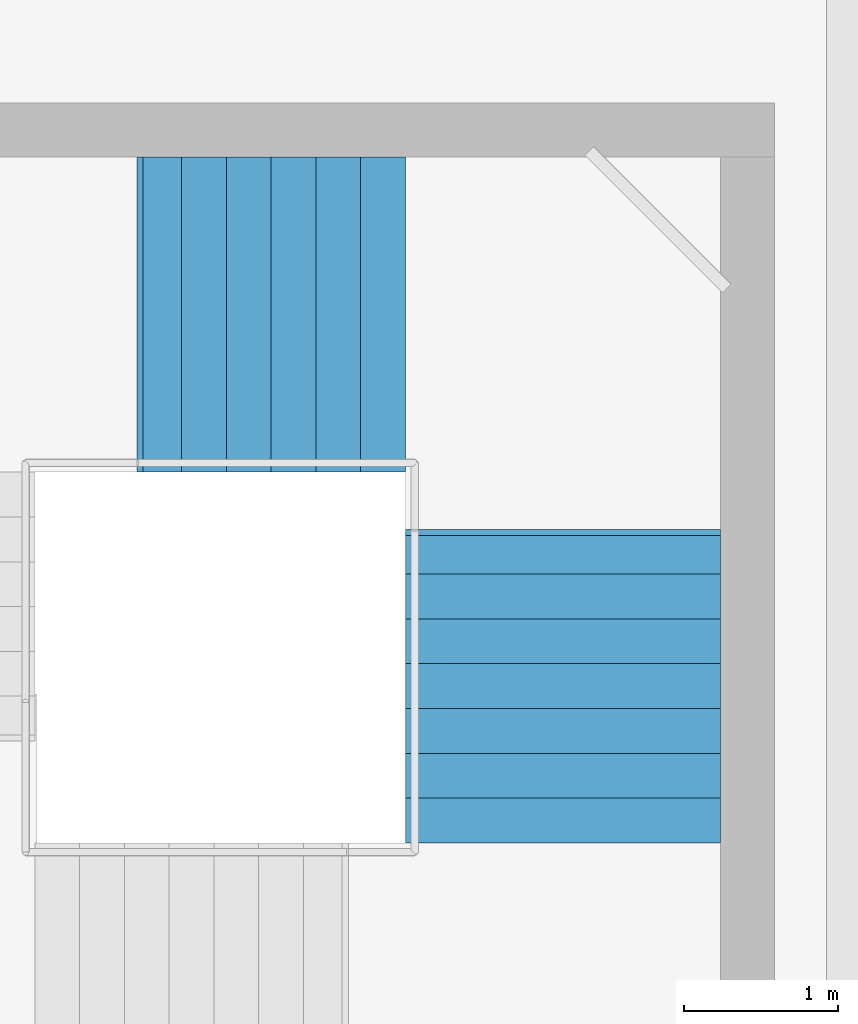
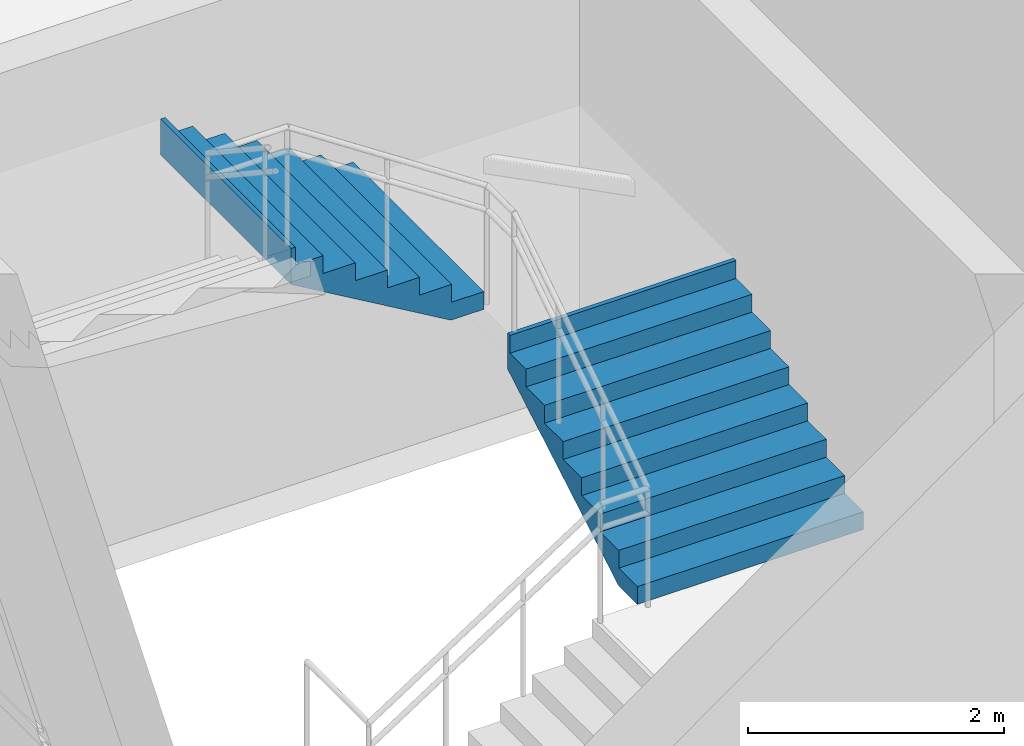
# One storey, part 63 of 67: 2 stair flights, 1 element without a shape of its own.
"""IFC4 building model written with IfcOpenShell, lengths in metres."""

from ifc_helpers import new_model, si_unit, direction, frame, origin, place, context, subcontext, project, spatial, triangles, material, type_object, element, aggregate, save


model = new_model("IFC4")

# Units and contexts
model_context = context("Model", 3, precision=1e-05, world=origin(), true_north=direction((0.0, 1.0)))
body_context = subcontext(model_context, "Body", "Model", "MODEL_VIEW")
ifc_project = project(units=[si_unit("LENGTHUNIT", "METRE"), si_unit("AREAUNIT", "SQUARE_METRE"), si_unit("VOLUMEUNIT", "CUBIC_METRE"), si_unit("PLANEANGLEUNIT", "RADIAN"), si_unit("MASSUNIT", "GRAM", prefix="KILO")], contexts=[model_context])

# Site, building, storey
site_placement = place(None, origin())
site = spatial("IfcSite", under=ifc_project, at=site_placement, CompositionType="ELEMENT")
building_placement = place(site_placement, origin())
building = spatial("IfcBuilding", under=site, at=building_placement, Name="Sillaruma Civic Art Gallery", CompositionType="ELEMENT")
storey_placement = place(building_placement, frame((0.0, 0.0, 46.919921875)))
storey = spatial("IfcBuildingStorey", under=building, at=storey_placement, Name="L09", CompositionType="ELEMENT", Elevation=46.919921875)

# Stair, stair flights
ifc_material = material(Name="Concrete H35 (35 MPa)", Category="concrete")
stair_type = type_object("IfcStairType", Name="STR-4F-30", PredefinedType="USERDEFINED", material=ifc_material)
stair_placement = place(storey_placement, origin())
stair = element("IfcStair", 1, at=stair_placement, inside=storey, type_object=stair_type, Name="Protected Exit Stair ST-04 (East Bar) (L09)", ObjectType="THREE_RETURN_STAIR", PredefinedType="USERDEFINED")
stair_flight_type_1 = type_object("IfcStairFlightType", Name="SFL-STR-7", PredefinedType="STRAIGHT", material=ifc_material)
stair_flight_1_placement = place(storey_placement, frame((103.300048828125, 56.669921875, 2.719970703125), z_axis=(0.0, 0.0, 1.0), x_axis=(-1.0, 0.0, 0.0)))
stair_flight_1 = element("IfcStairFlight", 2, at=stair_flight_1_placement, type_object=stair_flight_type_1, Name="ST-04 flight 3", NumberOfRisers=7, NumberOfTreads=6, PredefinedType="STRAIGHT", RiserHeight=0.17, TreadLength=0.29, context=body_context, shape_type="Tessellation", body=[
    triangles([(0.0, -1.02001953125, 0.0), (0.29, -1.02001953125, 0.0), (0.296404, -1.02001953125, 0.0), (0.58, -1.02001953125, 0.166246), (0.87, -1.02001953125, 0.336246), (1.16, -1.02001953125, 0.506246), (1.45, -1.02001953125, 0.676246), (1.69999, -1.02001953125, 0.822792), (1.73999, -1.02001953125, 0.84624), (1.73999, -1.02001953125, 1.19), (1.69999, -1.02001953125, 1.19), (1.69999, -1.02001953125, 1.02), (1.45, -1.02001953125, 1.02), (1.45, -1.02001953125, 0.85), (1.16, -1.02001953125, 0.85), (1.16, -1.02001953125, 0.68), (0.87, -1.02001953125, 0.68), (0.87, -1.02001953125, 0.51), (0.58, -1.02001953125, 0.51), (0.58, -1.02001953125, 0.34), (0.296404, -1.02001953125, 0.34), (0.29, -1.02001953125, 0.34), (0.29, -1.02001953125, 0.17), (0.0, -1.02001953125, 0.17), (0.0, -0.05, 0.0), (0.29, -0.05, 0.0), (0.296404, -0.05, 0.0), (0.58, -0.05, 0.166246), (0.87, -0.05, 0.336246), (1.16, -0.05, 0.506246), (1.45, -0.05, 0.676246), (1.69999, -0.05, 0.822792), (1.73999, -0.05, 0.84624), (1.73999, -0.05, 1.19), (1.69999, -0.05, 1.19), (1.69999, -0.05, 1.02), (1.45, -0.05, 1.02), (1.45, -0.05, 0.85), (1.16, -0.05, 0.85), (1.16, -0.05, 0.68), (0.87, -0.05, 0.68), (0.87, -0.05, 0.51), (0.58, -0.05, 0.51), (0.58, -0.05, 0.34), (0.296404, -0.05, 0.34), (0.29, -0.05, 0.34), (0.29, -0.05, 0.17), (0.0, -0.05, 0.17), (0.0, -0.0375, 0.0), (0.29, -0.0375, 0.0), (0.296404, -0.0375, 0.0), (0.58, -0.0375, 0.166246), (0.87, -0.0375, 0.336246), (1.16, -0.0375, 0.506246), (1.45, -0.0375, 0.676246), (1.69999, -0.0375, 0.822792), (1.73999, -0.0375, 0.84624), (1.73999, -0.0375, 1.19), (1.69999, -0.0375, 1.19), (1.69999, -0.0375, 1.02), (1.45, -0.0375, 1.02), (1.45, -0.0375, 0.85), (1.16, -0.0375, 0.85), (1.16, -0.0375, 0.68), (0.87, -0.0375, 0.68), (0.87, -0.0375, 0.51), (0.58, -0.0375, 0.51), (0.58, -0.0375, 0.34), (0.296404, -0.0375, 0.34), (0.29, -0.0375, 0.34), (0.29, -0.0375, 0.17), (0.0, -0.0375, 0.17), (0.0, -0.025, 0.0), (0.29, -0.025, 0.0), (0.296404, -0.025, 0.0), (0.58, -0.025, 0.166246), (0.87, -0.025, 0.336246), (1.16, -0.025, 0.506246), (1.45, -0.025, 0.676246), (1.69999, -0.025, 0.822792), (1.73999, -0.025, 0.84624), (1.73999, -0.025, 1.19), (1.69999, -0.025, 1.19), (1.69999, -0.025, 1.02), (1.45, -0.025, 1.02), (1.45, -0.025, 0.85), (1.16, -0.025, 0.85), (1.16, -0.025, 0.68), (0.87, -0.025, 0.68), (0.87, -0.025, 0.51), (0.58, -0.025, 0.51), (0.58, -0.025, 0.34), (0.296404, -0.025, 0.34), (0.29, -0.025, 0.34), (0.29, -0.025, 0.17), (0.0, -0.025, 0.17), (0.0, -0.0125, 0.0), (0.29, -0.0125, 0.0), (0.296404, -0.0125, 0.0), (0.58, -0.0125, 0.166246), (0.87, -0.0125, 0.336246), (1.16, -0.0125, 0.506246), (1.45, -0.0125, 0.676246), (1.69999, -0.0125, 0.822792), (1.73999, -0.0125, 0.84624), (1.73999, -0.0125, 1.19), (1.69999, -0.0125, 1.19), (1.69999, -0.0125, 1.02), (1.45, -0.0125, 1.02), (1.45, -0.0125, 0.85), (1.16, -0.0125, 0.85), (1.16, -0.0125, 0.68), (0.87, -0.0125, 0.68), (0.87, -0.0125, 0.51), (0.58, -0.0125, 0.51), (0.58, -0.0125, 0.34), (0.296404, -0.0125, 0.34), (0.29, -0.0125, 0.34), (0.29, -0.0125, 0.17), (0.0, -0.0125, 0.17), (0.0, 0.0, 0.0), (0.29, 0.0, 0.0), (0.296404, 0.0, 0.0), (0.58, 0.0, 0.166246), (0.87, 0.0, 0.336246), (1.16, 0.0, 0.506246), (1.45, 0.0, 0.676246), (1.69999, 0.0, 0.822792), (1.73999, 0.0, 0.84624), (1.73999, 0.0, 1.19), (1.69999, 0.0, 1.19), (1.69999, 0.0, 1.02), (1.45, 0.0, 1.02), (1.45, 0.0, 0.85), (1.16, 0.0, 0.85), (1.16, 0.0, 0.68), (0.87, 0.0, 0.68), (0.87, 0.0, 0.51), (0.58, 0.0, 0.51), (0.58, 0.0, 0.34), (0.296404, 0.0, 0.34), (0.29, 0.0, 0.34), (0.29, 0.0, 0.17), (0.0, 0.0, 0.17), (0.0, 0.0125, 0.0), (0.29, 0.0125, 0.0), (0.296404, 0.0125, 0.0), (0.58, 0.0125, 0.166246), (0.87, 0.0125, 0.336246), (1.16, 0.0125, 0.506246), (1.45, 0.0125, 0.676246), (1.69999, 0.0125, 0.822792), (1.73999, 0.0125, 0.84624), (1.73999, 0.0125, 1.19), (1.69999, 0.0125, 1.19), (1.69999, 0.0125, 1.02), (1.45, 0.0125, 1.02), (1.45, 0.0125, 0.85), (1.16, 0.0125, 0.85), (1.16, 0.0125, 0.68), (0.87, 0.0125, 0.68), (0.87, 0.0125, 0.51), (0.58, 0.0125, 0.51), (0.58, 0.0125, 0.34), (0.296404, 0.0125, 0.34), (0.29, 0.0125, 0.34), (0.29, 0.0125, 0.17), (0.0, 0.0125, 0.17), (0.0, 0.025, 0.0), (0.29, 0.025, 0.0), (0.296404, 0.025, 0.0), (0.58, 0.025, 0.166246), (0.87, 0.025, 0.336246), (1.16, 0.025, 0.506246), (1.45, 0.025, 0.676246), (1.69999, 0.025, 0.822792), (1.73999, 0.025, 0.84624), (1.73999, 0.025, 1.19), (1.69999, 0.025, 1.19), (1.69999, 0.025, 1.02), (1.45, 0.025, 1.02), (1.45, 0.025, 0.85), (1.16, 0.025, 0.85), (1.16, 0.025, 0.68), (0.87, 0.025, 0.68), (0.87, 0.025, 0.51), (0.58, 0.025, 0.51), (0.58, 0.025, 0.34), (0.296404, 0.025, 0.34), (0.29, 0.025, 0.34), (0.29, 0.025, 0.17), (0.0, 0.025, 0.17), (0.0, 0.0375, 0.0), (0.29, 0.0375, 0.0), (0.296404, 0.0375, 0.0), (0.58, 0.0375, 0.166246), (0.87, 0.0375, 0.336246), (1.16, 0.0375, 0.506246), (1.45, 0.0375, 0.676246), (1.69999, 0.0375, 0.822792), (1.73999, 0.0375, 0.84624), (1.73999, 0.0375, 1.19), (1.69999, 0.0375, 1.19), (1.69999, 0.0375, 1.02), (1.45, 0.0375, 1.02), (1.45, 0.0375, 0.85), (1.16, 0.0375, 0.85), (1.16, 0.0375, 0.68), (0.87, 0.0375, 0.68), (0.87, 0.0375, 0.51), (0.58, 0.0375, 0.51), (0.58, 0.0375, 0.34), (0.296404, 0.0375, 0.34), (0.29, 0.0375, 0.34), (0.29, 0.0375, 0.17), (0.0, 0.0375, 0.17), (0.0, 0.05, 0.0), (0.29, 0.05, 0.0), (0.296404, 0.05, 0.0), (0.58, 0.05, 0.166246), (0.87, 0.05, 0.336246), (1.16, 0.05, 0.506246), (1.45, 0.05, 0.676246), (1.69999, 0.05, 0.822792), (1.73999, 0.05, 0.84624), (1.73999, 0.05, 1.19), (1.69999, 0.05, 1.19), (1.69999, 0.05, 1.02), (1.45, 0.05, 1.02), (1.45, 0.05, 0.85), (1.16, 0.05, 0.85), (1.16, 0.05, 0.68), (0.87, 0.05, 0.68), (0.87, 0.05, 0.51), (0.58, 0.05, 0.51), (0.58, 0.05, 0.34), (0.296404, 0.05, 0.34), (0.29, 0.05, 0.34), (0.29, 0.05, 0.17), (0.0, 0.05, 0.17), (0.0, 1.02001953125, 0.0), (0.29, 1.02001953125, 0.0), (0.296404, 1.02001953125, 0.0), (0.58, 1.02001953125, 0.166246), (0.87, 1.02001953125, 0.336246), (1.16, 1.02001953125, 0.506246), (1.45, 1.02001953125, 0.676246), (1.69999, 1.02001953125, 0.822792), (1.73999, 1.02001953125, 0.84624), (1.73999, 1.02001953125, 1.19), (1.69999, 1.02001953125, 1.19), (1.69999, 1.02001953125, 1.02), (1.45, 1.02001953125, 1.02), (1.45, 1.02001953125, 0.85), (1.16, 1.02001953125, 0.85), (1.16, 1.02001953125, 0.68), (0.87, 1.02001953125, 0.68), (0.87, 1.02001953125, 0.51), (0.58, 1.02001953125, 0.51), (0.58, 1.02001953125, 0.34), (0.296404, 1.02001953125, 0.34), (0.29, 1.02001953125, 0.34), (0.29, 1.02001953125, 0.17), (0.0, 1.02001953125, 0.17)], [[1, 2, 23], [1, 23, 24], [2, 3, 21], [2, 21, 23], [23, 21, 22], [3, 4, 20], [3, 20, 21], [4, 5, 18], [4, 18, 20], [20, 18, 19], [5, 6, 16], [5, 16, 18], [18, 16, 17], [6, 7, 14], [6, 14, 16], [16, 14, 15], [7, 8, 12], [7, 12, 14], [14, 12, 13], [8, 9, 10], [8, 10, 12], [12, 10, 11], [263, 242, 241], [264, 263, 241], [261, 243, 242], [263, 261, 242], [262, 261, 263], [260, 244, 243], [261, 260, 243], [258, 245, 244], [260, 258, 244], [259, 258, 260], [256, 246, 245], [258, 256, 245], [257, 256, 258], [254, 247, 246], [256, 254, 246], [255, 254, 256], [252, 248, 247], [254, 252, 247], [253, 252, 254], [250, 249, 248], [252, 250, 248], [251, 250, 252], [2, 1, 25], [2, 25, 26], [3, 2, 26], [3, 26, 27], [4, 3, 27], [4, 27, 28], [5, 4, 28], [5, 28, 29], [6, 5, 29], [6, 29, 30], [7, 6, 30], [7, 30, 31], [8, 7, 31], [8, 31, 32], [9, 8, 32], [9, 32, 33], [10, 9, 33], [10, 33, 34], [11, 10, 34], [11, 34, 35], [12, 11, 35], [12, 35, 36], [13, 12, 36], [13, 36, 37], [14, 13, 37], [14, 37, 38], [15, 14, 38], [15, 38, 39], [16, 15, 39], [16, 39, 40], [17, 16, 40], [17, 40, 41], [18, 17, 41], [18, 41, 42], [19, 18, 42], [19, 42, 43], [20, 19, 43], [20, 43, 44], [21, 20, 44], [21, 44, 45], [22, 21, 45], [22, 45, 46], [23, 22, 46], [23, 46, 47], [24, 23, 47], [24, 47, 48], [1, 24, 48], [1, 48, 25], [26, 25, 49], [26, 49, 50], [27, 26, 50], [27, 50, 51], [28, 27, 51], [28, 51, 52], [29, 28, 52], [29, 52, 53], [30, 29, 53], [30, 53, 54], [31, 30, 54], [31, 54, 55], [32, 31, 55], [32, 55, 56], [33, 32, 56], [33, 56, 57], [34, 33, 57], [34, 57, 58], [35, 34, 58], [35, 58, 59], [36, 35, 59], [36, 59, 60], [37, 36, 60], [37, 60, 61], [38, 37, 61], [38, 61, 62], [39, 38, 62], [39, 62, 63], [40, 39, 63], [40, 63, 64], [41, 40, 64], [41, 64, 65], [42, 41, 65], [42, 65, 66], [43, 42, 66], [43, 66, 67], [44, 43, 67], [44, 67, 68], [45, 44, 68], [45, 68, 69], [46, 45, 69], [46, 69, 70], [47, 46, 70], [47, 70, 71], [48, 47, 71], [48, 71, 72], [25, 48, 72], [25, 72, 49], [50, 49, 73], [50, 73, 74], [51, 50, 74], [51, 74, 75], [52, 51, 75], [52, 75, 76], [53, 52, 76], [53, 76, 77], [54, 53, 77], [54, 77, 78], [55, 54, 78], [55, 78, 79], [56, 55, 79], [56, 79, 80], [57, 56, 80], [57, 80, 81], [58, 57, 81], [58, 81, 82], [59, 58, 82], [59, 82, 83], [60, 59, 83], [60, 83, 84], [61, 60, 84], [61, 84, 85], [62, 61, 85], [62, 85, 86], [63, 62, 86], [63, 86, 87], [64, 63, 87], [64, 87, 88], [65, 64, 88], [65, 88, 89], [66, 65, 89], [66, 89, 90], [67, 66, 90], [67, 90, 91], [68, 67, 91], [68, 91, 92], [69, 68, 92], [69, 92, 93], [70, 69, 93], [70, 93, 94], [71, 70, 94], [71, 94, 95], [72, 71, 95], [72, 95, 96], [49, 72, 96], [49, 96, 73], [74, 73, 97], [74, 97, 98], [75, 74, 98], [75, 98, 99], [76, 75, 99], [76, 99, 100], [77, 76, 100], [77, 100, 101], [78, 77, 101], [78, 101, 102], [79, 78, 102], [79, 102, 103], [80, 79, 103], [80, 103, 104], [81, 80, 104], [81, 104, 105], [82, 81, 105], [82, 105, 106], [83, 82, 106], [83, 106, 107], [84, 83, 107], [84, 107, 108], [85, 84, 108], [85, 108, 109], [86, 85, 109], [86, 109, 110], [87, 86, 110], [87, 110, 111], [88, 87, 111], [88, 111, 112], [89, 88, 112], [89, 112, 113], [90, 89, 113], [90, 113, 114], [91, 90, 114], [91, 114, 115], [92, 91, 115], [92, 115, 116], [93, 92, 116], [93, 116, 117], [94, 93, 117], [94, 117, 118], [95, 94, 118], [95, 118, 119], [96, 95, 119], [96, 119, 120], [73, 96, 120], [73, 120, 97], [98, 97, 121], [98, 121, 122], [99, 98, 122], [99, 122, 123], [100, 99, 123], [100, 123, 124], [101, 100, 124], [101, 124, 125], [102, 101, 125], [102, 125, 126], [103, 102, 126], [103, 126, 127], [104, 103, 127], [104, 127, 128], [105, 104, 128], [105, 128, 129], [106, 105, 129], [106, 129, 130], [107, 106, 130], [107, 130, 131], [108, 107, 131], [108, 131, 132], [109, 108, 132], [109, 132, 133], [110, 109, 133], [110, 133, 134], [111, 110, 134], [111, 134, 135], [112, 111, 135], [112, 135, 136], [113, 112, 136], [113, 136, 137], [114, 113, 137], [114, 137, 138], [115, 114, 138], [115, 138, 139], [116, 115, 139], [116, 139, 140], [117, 116, 140], [117, 140, 141], [118, 117, 141], [118, 141, 142], [119, 118, 142], [119, 142, 143], [120, 119, 143], [120, 143, 144], [97, 120, 144], [97, 144, 121], [122, 121, 145], [122, 145, 146], [123, 122, 146], [123, 146, 147], [124, 123, 147], [124, 147, 148], [125, 124, 148], [125, 148, 149], [126, 125, 149], [126, 149, 150], [127, 126, 150], [127, 150, 151], [128, 127, 151], [128, 151, 152], [129, 128, 152], [129, 152, 153], [130, 129, 153], [130, 153, 154], [131, 130, 154], [131, 154, 155], [132, 131, 155], [132, 155, 156], [133, 132, 156], [133, 156, 157], [134, 133, 157], [134, 157, 158], [135, 134, 158], [135, 158, 159], [136, 135, 159], [136, 159, 160], [137, 136, 160], [137, 160, 161], [138, 137, 161], [138, 161, 162], [139, 138, 162], [139, 162, 163], [140, 139, 163], [140, 163, 164], [141, 140, 164], [141, 164, 165], [142, 141, 165], [142, 165, 166], [143, 142, 166], [143, 166, 167], [144, 143, 167], [144, 167, 168], [121, 144, 168], [121, 168, 145], [146, 145, 169], [146, 169, 170], [147, 146, 170], [147, 170, 171], [148, 147, 171], [148, 171, 172], [149, 148, 172], [149, 172, 173], [150, 149, 173], [150, 173, 174], [151, 150, 174], [151, 174, 175], [152, 151, 175], [152, 175, 176], [153, 152, 176], [153, 176, 177], [154, 153, 177], [154, 177, 178], [155, 154, 178], [155, 178, 179], [156, 155, 179], [156, 179, 180], [157, 156, 180], [157, 180, 181], [158, 157, 181], [158, 181, 182], [159, 158, 182], [159, 182, 183], [160, 159, 183], [160, 183, 184], [161, 160, 184], [161, 184, 185], [162, 161, 185], [162, 185, 186], [163, 162, 186], [163, 186, 187], [164, 163, 187], [164, 187, 188], [165, 164, 188], [165, 188, 189], [166, 165, 189], [166, 189, 190], [167, 166, 190], [167, 190, 191], [168, 167, 191], [168, 191, 192], [145, 168, 192], [145, 192, 169], [170, 169, 193], [170, 193, 194], [171, 170, 194], [171, 194, 195], [172, 171, 195], [172, 195, 196], [173, 172, 196], [173, 196, 197], [174, 173, 197], [174, 197, 198], [175, 174, 198], [175, 198, 199], [176, 175, 199], [176, 199, 200], [177, 176, 200], [177, 200, 201], [178, 177, 201], [178, 201, 202], [179, 178, 202], [179, 202, 203], [180, 179, 203], [180, 203, 204], [181, 180, 204], [181, 204, 205], [182, 181, 205], [182, 205, 206], [183, 182, 206], [183, 206, 207], [184, 183, 207], [184, 207, 208], [185, 184, 208], [185, 208, 209], [186, 185, 209], [186, 209, 210], [187, 186, 210], [187, 210, 211], [188, 187, 211], [188, 211, 212], [189, 188, 212], [189, 212, 213], [190, 189, 213], [190, 213, 214], [191, 190, 214], [191, 214, 215], [192, 191, 215], [192, 215, 216], [169, 192, 216], [169, 216, 193], [194, 193, 217], [194, 217, 218], [195, 194, 218], [195, 218, 219], [196, 195, 219], [196, 219, 220], [197, 196, 220], [197, 220, 221], [198, 197, 221], [198, 221, 222], [199, 198, 222], [199, 222, 223], [200, 199, 223], [200, 223, 224], [201, 200, 224], [201, 224, 225], [202, 201, 225], [202, 225, 226], [203, 202, 226], [203, 226, 227], [204, 203, 227], [204, 227, 228], [205, 204, 228], [205, 228, 229], [206, 205, 229], [206, 229, 230], [207, 206, 230], [207, 230, 231], [208, 207, 231], [208, 231, 232], [209, 208, 232], [209, 232, 233], [210, 209, 233], [210, 233, 234], [211, 210, 234], [211, 234, 235], [212, 211, 235], [212, 235, 236], [213, 212, 236], [213, 236, 237], [214, 213, 237], [214, 237, 238], [215, 214, 238], [215, 238, 239], [216, 215, 239], [216, 239, 240], [193, 216, 240], [193, 240, 217], [218, 217, 241], [218, 241, 242], [219, 218, 242], [219, 242, 243], [220, 219, 243], [220, 243, 244], [221, 220, 244], [221, 244, 245], [222, 221, 245], [222, 245, 246], [223, 222, 246], [223, 246, 247], [224, 223, 247], [224, 247, 248], [225, 224, 248], [225, 248, 249], [226, 225, 249], [226, 249, 250], [227, 226, 250], [227, 250, 251], [228, 227, 251], [228, 251, 252], [229, 228, 252], [229, 252, 253], [230, 229, 253], [230, 253, 254], [231, 230, 254], [231, 254, 255], [232, 231, 255], [232, 255, 256], [233, 232, 256], [233, 256, 257], [234, 233, 257], [234, 257, 258], [235, 234, 258], [235, 258, 259], [236, 235, 259], [236, 259, 260], [237, 236, 260], [237, 260, 261], [238, 237, 261], [238, 261, 262], [239, 238, 262], [239, 262, 263], [240, 239, 263], [240, 263, 264], [217, 240, 264], [217, 264, 241]], closed=True),
])
stair_flight_type_2 = type_object("IfcStairFlightType", Name="SFL-STR-8", PredefinedType="STRAIGHT", material=ifc_material)
stair_flight_2_placement = place(storey_placement, frame((104.320068359375, 53.25, 1.360107421875), z_axis=(0.0, 0.0, 1.0), x_axis=(0.0, 1.0, 0.0)))
stair_flight_2 = element("IfcStairFlight", 3, at=stair_flight_2_placement, type_object=stair_flight_type_2, Name="ST-04 flight 2", NumberOfRisers=8, NumberOfTreads=7, PredefinedType="STRAIGHT", RiserHeight=0.17, TreadLength=0.29, context=body_context, shape_type="Tessellation", body=[
    triangles([(0.0, -1.02001953125, 0.0), (0.29, -1.02001953125, 0.0), (0.296443, -1.02001953125, 0.0), (0.58, -1.02001953125, 0.166223), (0.87, -1.02001953125, 0.336223), (1.16, -1.02001953125, 0.506223), (1.45, -1.02001953125, 0.676223), (1.74, -1.02001953125, 0.846223), (1.990029, -1.02001953125, 0.992792), (2.030029, -1.02001953125, 1.01624), (2.030029, -1.02001953125, 1.36), (1.990029, -1.02001953125, 1.36), (1.990029, -1.02001953125, 1.19), (1.74, -1.02001953125, 1.19), (1.74, -1.02001953125, 1.02), (1.45, -1.02001953125, 1.02), (1.45, -1.02001953125, 0.85), (1.16, -1.02001953125, 0.85), (1.16, -1.02001953125, 0.68), (0.87, -1.02001953125, 0.68), (0.87, -1.02001953125, 0.51), (0.58, -1.02001953125, 0.51), (0.58, -1.02001953125, 0.34), (0.296443, -1.02001953125, 0.34), (0.29, -1.02001953125, 0.34), (0.29, -1.02001953125, 0.17), (0.0, -1.02001953125, 0.17), (0.0, -0.05, 0.0), (0.29, -0.05, 0.0), (0.296443, -0.05, 0.0), (0.58, -0.05, 0.166223), (0.87, -0.05, 0.336223), (1.16, -0.05, 0.506223), (1.45, -0.05, 0.676223), (1.74, -0.05, 0.846223), (1.990029, -0.05, 0.992792), (2.030029, -0.05, 1.01624), (2.030029, -0.05, 1.36), (1.990029, -0.05, 1.36), (1.990029, -0.05, 1.19), (1.74, -0.05, 1.19), (1.74, -0.05, 1.02), (1.45, -0.05, 1.02), (1.45, -0.05, 0.85), (1.16, -0.05, 0.85), (1.16, -0.05, 0.68), (0.87, -0.05, 0.68), (0.87, -0.05, 0.51), (0.58, -0.05, 0.51), (0.58, -0.05, 0.34), (0.296443, -0.05, 0.34), (0.29, -0.05, 0.34), (0.29, -0.05, 0.17), (0.0, -0.05, 0.17), (0.0, -0.0375, 0.0), (0.29, -0.0375, 0.0), (0.296443, -0.0375, 0.0), (0.58, -0.0375, 0.166223), (0.87, -0.0375, 0.336223), (1.16, -0.0375, 0.506223), (1.45, -0.0375, 0.676223), (1.74, -0.0375, 0.846223), (1.990029, -0.0375, 0.992792), (2.030029, -0.0375, 1.01624), (2.030029, -0.0375, 1.36), (1.990029, -0.0375, 1.36), (1.990029, -0.0375, 1.19), (1.74, -0.0375, 1.19), (1.74, -0.0375, 1.02), (1.45, -0.0375, 1.02), (1.45, -0.0375, 0.85), (1.16, -0.0375, 0.85), (1.16, -0.0375, 0.68), (0.87, -0.0375, 0.68), (0.87, -0.0375, 0.51), (0.58, -0.0375, 0.51), (0.58, -0.0375, 0.34), (0.296443, -0.0375, 0.34), (0.29, -0.0375, 0.34), (0.29, -0.0375, 0.17), (0.0, -0.0375, 0.17), (0.0, -0.025, 0.0), (0.29, -0.025, 0.0), (0.296443, -0.025, 0.0), (0.58, -0.025, 0.166223), (0.87, -0.025, 0.336223), (1.16, -0.025, 0.506223), (1.45, -0.025, 0.676223), (1.74, -0.025, 0.846223), (1.990029, -0.025, 0.992792), (2.030029, -0.025, 1.01624), (2.030029, -0.025, 1.36), (1.990029, -0.025, 1.36), (1.990029, -0.025, 1.19), (1.74, -0.025, 1.19), (1.74, -0.025, 1.02), (1.45, -0.025, 1.02), (1.45, -0.025, 0.85), (1.16, -0.025, 0.85), (1.16, -0.025, 0.68), (0.87, -0.025, 0.68), (0.87, -0.025, 0.51), (0.58, -0.025, 0.51), (0.58, -0.025, 0.34), (0.296443, -0.025, 0.34), (0.29, -0.025, 0.34), (0.29, -0.025, 0.17), (0.0, -0.025, 0.17), (0.0, -0.0125, 0.0), (0.29, -0.0125, 0.0), (0.296443, -0.0125, 0.0), (0.58, -0.0125, 0.166223), (0.87, -0.0125, 0.336223), (1.16, -0.0125, 0.506223), (1.45, -0.0125, 0.676223), (1.74, -0.0125, 0.846223), (1.990029, -0.0125, 0.992792), (2.030029, -0.0125, 1.01624), (2.030029, -0.0125, 1.36), (1.990029, -0.0125, 1.36), (1.990029, -0.0125, 1.19), (1.74, -0.0125, 1.19), (1.74, -0.0125, 1.02), (1.45, -0.0125, 1.02), (1.45, -0.0125, 0.85), (1.16, -0.0125, 0.85), (1.16, -0.0125, 0.68), (0.87, -0.0125, 0.68), (0.87, -0.0125, 0.51), (0.58, -0.0125, 0.51), (0.58, -0.0125, 0.34), (0.296443, -0.0125, 0.34), (0.29, -0.0125, 0.34), (0.29, -0.0125, 0.17), (0.0, -0.0125, 0.17), (0.0, 0.0, 0.0), (0.29, 0.0, 0.0), (0.296443, 0.0, 0.0), (0.58, 0.0, 0.166223), (0.87, 0.0, 0.336223), (1.16, 0.0, 0.506223), (1.45, 0.0, 0.676223), (1.74, 0.0, 0.846223), (1.990029, 0.0, 0.992792), (2.030029, 0.0, 1.01624), (2.030029, 0.0, 1.36), (1.990029, 0.0, 1.36), (1.990029, 0.0, 1.19), (1.74, 0.0, 1.19), (1.74, 0.0, 1.02), (1.45, 0.0, 1.02), (1.45, 0.0, 0.85), (1.16, 0.0, 0.85), (1.16, 0.0, 0.68), (0.87, 0.0, 0.68), (0.87, 0.0, 0.51), (0.58, 0.0, 0.51), (0.58, 0.0, 0.34), (0.296443, 0.0, 0.34), (0.29, 0.0, 0.34), (0.29, 0.0, 0.17), (0.0, 0.0, 0.17), (0.0, 0.0125, 0.0), (0.29, 0.0125, 0.0), (0.296443, 0.0125, 0.0), (0.58, 0.0125, 0.166223), (0.87, 0.0125, 0.336223), (1.16, 0.0125, 0.506223), (1.45, 0.0125, 0.676223), (1.74, 0.0125, 0.846223), (1.990029, 0.0125, 0.992792), (2.030029, 0.0125, 1.01624), (2.030029, 0.0125, 1.36), (1.990029, 0.0125, 1.36), (1.990029, 0.0125, 1.19), (1.74, 0.0125, 1.19), (1.74, 0.0125, 1.02), (1.45, 0.0125, 1.02), (1.45, 0.0125, 0.85), (1.16, 0.0125, 0.85), (1.16, 0.0125, 0.68), (0.87, 0.0125, 0.68), (0.87, 0.0125, 0.51), (0.58, 0.0125, 0.51), (0.58, 0.0125, 0.34), (0.296443, 0.0125, 0.34), (0.29, 0.0125, 0.34), (0.29, 0.0125, 0.17), (0.0, 0.0125, 0.17), (0.0, 0.025, 0.0), (0.29, 0.025, 0.0), (0.296443, 0.025, 0.0), (0.58, 0.025, 0.166223), (0.87, 0.025, 0.336223), (1.16, 0.025, 0.506223), (1.45, 0.025, 0.676223), (1.74, 0.025, 0.846223), (1.990029, 0.025, 0.992792), (2.030029, 0.025, 1.01624), (2.030029, 0.025, 1.36), (1.990029, 0.025, 1.36), (1.990029, 0.025, 1.19), (1.74, 0.025, 1.19), (1.74, 0.025, 1.02), (1.45, 0.025, 1.02), (1.45, 0.025, 0.85), (1.16, 0.025, 0.85), (1.16, 0.025, 0.68), (0.87, 0.025, 0.68), (0.87, 0.025, 0.51), (0.58, 0.025, 0.51), (0.58, 0.025, 0.34), (0.296443, 0.025, 0.34), (0.29, 0.025, 0.34), (0.29, 0.025, 0.17), (0.0, 0.025, 0.17), (0.0, 0.0375, 0.0), (0.29, 0.0375, 0.0), (0.296443, 0.0375, 0.0), (0.58, 0.0375, 0.166223), (0.87, 0.0375, 0.336223), (1.16, 0.0375, 0.506223), (1.45, 0.0375, 0.676223), (1.74, 0.0375, 0.846223), (1.990029, 0.0375, 0.992792), (2.030029, 0.0375, 1.01624), (2.030029, 0.0375, 1.36), (1.990029, 0.0375, 1.36), (1.990029, 0.0375, 1.19), (1.74, 0.0375, 1.19), (1.74, 0.0375, 1.02), (1.45, 0.0375, 1.02), (1.45, 0.0375, 0.85), (1.16, 0.0375, 0.85), (1.16, 0.0375, 0.68), (0.87, 0.0375, 0.68), (0.87, 0.0375, 0.51), (0.58, 0.0375, 0.51), (0.58, 0.0375, 0.34), (0.296443, 0.0375, 0.34), (0.29, 0.0375, 0.34), (0.29, 0.0375, 0.17), (0.0, 0.0375, 0.17), (0.0, 0.05, 0.0), (0.29, 0.05, 0.0), (0.296443, 0.05, 0.0), (0.58, 0.05, 0.166223), (0.87, 0.05, 0.336223), (1.16, 0.05, 0.506223), (1.45, 0.05, 0.676223), (1.74, 0.05, 0.846223), (1.990029, 0.05, 0.992792), (2.030029, 0.05, 1.01624), (2.030029, 0.05, 1.36), (1.990029, 0.05, 1.36), (1.990029, 0.05, 1.19), (1.74, 0.05, 1.19), (1.74, 0.05, 1.02), (1.45, 0.05, 1.02), (1.45, 0.05, 0.85), (1.16, 0.05, 0.85), (1.16, 0.05, 0.68), (0.87, 0.05, 0.68), (0.87, 0.05, 0.51), (0.58, 0.05, 0.51), (0.58, 0.05, 0.34), (0.296443, 0.05, 0.34), (0.29, 0.05, 0.34), (0.29, 0.05, 0.17), (0.0, 0.05, 0.17), (0.0, 1.02001953125, 0.0), (0.29, 1.02001953125, 0.0), (0.296443, 1.02001953125, 0.0), (0.58, 1.02001953125, 0.166223), (0.87, 1.02001953125, 0.336223), (1.16, 1.02001953125, 0.506223), (1.45, 1.02001953125, 0.676223), (1.74, 1.02001953125, 0.846223), (1.990029, 1.02001953125, 0.992792), (2.030029, 1.02001953125, 1.01624), (2.030029, 1.02001953125, 1.36), (1.990029, 1.02001953125, 1.36), (1.990029, 1.02001953125, 1.19), (1.74, 1.02001953125, 1.19), (1.74, 1.02001953125, 1.02), (1.45, 1.02001953125, 1.02), (1.45, 1.02001953125, 0.85), (1.16, 1.02001953125, 0.85), (1.16, 1.02001953125, 0.68), (0.87, 1.02001953125, 0.68), (0.87, 1.02001953125, 0.51), (0.58, 1.02001953125, 0.51), (0.58, 1.02001953125, 0.34), (0.296443, 1.02001953125, 0.34), (0.29, 1.02001953125, 0.34), (0.29, 1.02001953125, 0.17), (0.0, 1.02001953125, 0.17)], [[1, 2, 26], [1, 26, 27], [2, 3, 24], [2, 24, 26], [26, 24, 25], [3, 4, 23], [3, 23, 24], [4, 5, 21], [4, 21, 23], [23, 21, 22], [5, 6, 19], [5, 19, 21], [21, 19, 20], [6, 7, 17], [6, 17, 19], [19, 17, 18], [7, 8, 15], [7, 15, 17], [17, 15, 16], [8, 9, 13], [8, 13, 15], [15, 13, 14], [9, 10, 11], [9, 11, 13], [13, 11, 12], [296, 272, 271], [297, 296, 271], [294, 273, 272], [296, 294, 272], [295, 294, 296], [293, 274, 273], [294, 293, 273], [291, 275, 274], [293, 291, 274], [292, 291, 293], [289, 276, 275], [291, 289, 275], [290, 289, 291], [287, 277, 276], [289, 287, 276], [288, 287, 289], [285, 278, 277], [287, 285, 277], [286, 285, 287], [283, 279, 278], [285, 283, 278], [284, 283, 285], [281, 280, 279], [283, 281, 279], [282, 281, 283], [2, 1, 28], [2, 28, 29], [3, 2, 29], [3, 29, 30], [4, 3, 30], [4, 30, 31], [5, 4, 31], [5, 31, 32], [6, 5, 32], [6, 32, 33], [7, 6, 33], [7, 33, 34], [8, 7, 34], [8, 34, 35], [9, 8, 35], [9, 35, 36], [10, 9, 36], [10, 36, 37], [11, 10, 37], [11, 37, 38], [12, 11, 38], [12, 38, 39], [13, 12, 39], [13, 39, 40], [14, 13, 40], [14, 40, 41], [15, 14, 41], [15, 41, 42], [16, 15, 42], [16, 42, 43], [17, 16, 43], [17, 43, 44], [18, 17, 44], [18, 44, 45], [19, 18, 45], [19, 45, 46], [20, 19, 46], [20, 46, 47], [21, 20, 47], [21, 47, 48], [22, 21, 48], [22, 48, 49], [23, 22, 49], [23, 49, 50], [24, 23, 50], [24, 50, 51], [25, 24, 51], [25, 51, 52], [26, 25, 52], [26, 52, 53], [27, 26, 53], [27, 53, 54], [1, 27, 54], [1, 54, 28], [29, 28, 55], [29, 55, 56], [30, 29, 56], [30, 56, 57], [31, 30, 57], [31, 57, 58], [32, 31, 58], [32, 58, 59], [33, 32, 59], [33, 59, 60], [34, 33, 60], [34, 60, 61], [35, 34, 61], [35, 61, 62], [36, 35, 62], [36, 62, 63], [37, 36, 63], [37, 63, 64], [38, 37, 64], [38, 64, 65], [39, 38, 65], [39, 65, 66], [40, 39, 66], [40, 66, 67], [41, 40, 67], [41, 67, 68], [42, 41, 68], [42, 68, 69], [43, 42, 69], [43, 69, 70], [44, 43, 70], [44, 70, 71], [45, 44, 71], [45, 71, 72], [46, 45, 72], [46, 72, 73], [47, 46, 73], [47, 73, 74], [48, 47, 74], [48, 74, 75], [49, 48, 75], [49, 75, 76], [50, 49, 76], [50, 76, 77], [51, 50, 77], [51, 77, 78], [52, 51, 78], [52, 78, 79], [53, 52, 79], [53, 79, 80], [54, 53, 80], [54, 80, 81], [28, 54, 81], [28, 81, 55], [56, 55, 82], [56, 82, 83], [57, 56, 83], [57, 83, 84], [58, 57, 84], [58, 84, 85], [59, 58, 85], [59, 85, 86], [60, 59, 86], [60, 86, 87], [61, 60, 87], [61, 87, 88], [62, 61, 88], [62, 88, 89], [63, 62, 89], [63, 89, 90], [64, 63, 90], [64, 90, 91], [65, 64, 91], [65, 91, 92], [66, 65, 92], [66, 92, 93], [67, 66, 93], [67, 93, 94], [68, 67, 94], [68, 94, 95], [69, 68, 95], [69, 95, 96], [70, 69, 96], [70, 96, 97], [71, 70, 97], [71, 97, 98], [72, 71, 98], [72, 98, 99], [73, 72, 99], [73, 99, 100], [74, 73, 100], [74, 100, 101], [75, 74, 101], [75, 101, 102], [76, 75, 102], [76, 102, 103], [77, 76, 103], [77, 103, 104], [78, 77, 104], [78, 104, 105], [79, 78, 105], [79, 105, 106], [80, 79, 106], [80, 106, 107], [81, 80, 107], [81, 107, 108], [55, 81, 108], [55, 108, 82], [83, 82, 109], [83, 109, 110], [84, 83, 110], [84, 110, 111], [85, 84, 111], [85, 111, 112], [86, 85, 112], [86, 112, 113], [87, 86, 113], [87, 113, 114], [88, 87, 114], [88, 114, 115], [89, 88, 115], [89, 115, 116], [90, 89, 116], [90, 116, 117], [91, 90, 117], [91, 117, 118], [92, 91, 118], [92, 118, 119], [93, 92, 119], [93, 119, 120], [94, 93, 120], [94, 120, 121], [95, 94, 121], [95, 121, 122], [96, 95, 122], [96, 122, 123], [97, 96, 123], [97, 123, 124], [98, 97, 124], [98, 124, 125], [99, 98, 125], [99, 125, 126], [100, 99, 126], [100, 126, 127], [101, 100, 127], [101, 127, 128], [102, 101, 128], [102, 128, 129], [103, 102, 129], [103, 129, 130], [104, 103, 130], [104, 130, 131], [105, 104, 131], [105, 131, 132], [106, 105, 132], [106, 132, 133], [107, 106, 133], [107, 133, 134], [108, 107, 134], [108, 134, 135], [82, 108, 135], [82, 135, 109], [110, 109, 136], [110, 136, 137], [111, 110, 137], [111, 137, 138], [112, 111, 138], [112, 138, 139], [113, 112, 139], [113, 139, 140], [114, 113, 140], [114, 140, 141], [115, 114, 141], [115, 141, 142], [116, 115, 142], [116, 142, 143], [117, 116, 143], [117, 143, 144], [118, 117, 144], [118, 144, 145], [119, 118, 145], [119, 145, 146], [120, 119, 146], [120, 146, 147], [121, 120, 147], [121, 147, 148], [122, 121, 148], [122, 148, 149], [123, 122, 149], [123, 149, 150], [124, 123, 150], [124, 150, 151], [125, 124, 151], [125, 151, 152], [126, 125, 152], [126, 152, 153], [127, 126, 153], [127, 153, 154], [128, 127, 154], [128, 154, 155], [129, 128, 155], [129, 155, 156], [130, 129, 156], [130, 156, 157], [131, 130, 157], [131, 157, 158], [132, 131, 158], [132, 158, 159], [133, 132, 159], [133, 159, 160], [134, 133, 160], [134, 160, 161], [135, 134, 161], [135, 161, 162], [109, 135, 162], [109, 162, 136], [137, 136, 163], [137, 163, 164], [138, 137, 164], [138, 164, 165], [139, 138, 165], [139, 165, 166], [140, 139, 166], [140, 166, 167], [141, 140, 167], [141, 167, 168], [142, 141, 168], [142, 168, 169], [143, 142, 169], [143, 169, 170], [144, 143, 170], [144, 170, 171], [145, 144, 171], [145, 171, 172], [146, 145, 172], [146, 172, 173], [147, 146, 173], [147, 173, 174], [148, 147, 174], [148, 174, 175], [149, 148, 175], [149, 175, 176], [150, 149, 176], [150, 176, 177], [151, 150, 177], [151, 177, 178], [152, 151, 178], [152, 178, 179], [153, 152, 179], [153, 179, 180], [154, 153, 180], [154, 180, 181], [155, 154, 181], [155, 181, 182], [156, 155, 182], [156, 182, 183], [157, 156, 183], [157, 183, 184], [158, 157, 184], [158, 184, 185], [159, 158, 185], [159, 185, 186], [160, 159, 186], [160, 186, 187], [161, 160, 187], [161, 187, 188], [162, 161, 188], [162, 188, 189], [136, 162, 189], [136, 189, 163], [164, 163, 190], [164, 190, 191], [165, 164, 191], [165, 191, 192], [166, 165, 192], [166, 192, 193], [167, 166, 193], [167, 193, 194], [168, 167, 194], [168, 194, 195], [169, 168, 195], [169, 195, 196], [170, 169, 196], [170, 196, 197], [171, 170, 197], [171, 197, 198], [172, 171, 198], [172, 198, 199], [173, 172, 199], [173, 199, 200], [174, 173, 200], [174, 200, 201], [175, 174, 201], [175, 201, 202], [176, 175, 202], [176, 202, 203], [177, 176, 203], [177, 203, 204], [178, 177, 204], [178, 204, 205], [179, 178, 205], [179, 205, 206], [180, 179, 206], [180, 206, 207], [181, 180, 207], [181, 207, 208], [182, 181, 208], [182, 208, 209], [183, 182, 209], [183, 209, 210], [184, 183, 210], [184, 210, 211], [185, 184, 211], [185, 211, 212], [186, 185, 212], [186, 212, 213], [187, 186, 213], [187, 213, 214], [188, 187, 214], [188, 214, 215], [189, 188, 215], [189, 215, 216], [163, 189, 216], [163, 216, 190], [191, 190, 217], [191, 217, 218], [192, 191, 218], [192, 218, 219], [193, 192, 219], [193, 219, 220], [194, 193, 220], [194, 220, 221], [195, 194, 221], [195, 221, 222], [196, 195, 222], [196, 222, 223], [197, 196, 223], [197, 223, 224], [198, 197, 224], [198, 224, 225], [199, 198, 225], [199, 225, 226], [200, 199, 226], [200, 226, 227], [201, 200, 227], [201, 227, 228], [202, 201, 228], [202, 228, 229], [203, 202, 229], [203, 229, 230], [204, 203, 230], [204, 230, 231], [205, 204, 231], [205, 231, 232], [206, 205, 232], [206, 232, 233], [207, 206, 233], [207, 233, 234], [208, 207, 234], [208, 234, 235], [209, 208, 235], [209, 235, 236], [210, 209, 236], [210, 236, 237], [211, 210, 237], [211, 237, 238], [212, 211, 238], [212, 238, 239], [213, 212, 239], [213, 239, 240], [214, 213, 240], [214, 240, 241], [215, 214, 241], [215, 241, 242], [216, 215, 242], [216, 242, 243], [190, 216, 243], [190, 243, 217], [218, 217, 244], [218, 244, 245], [219, 218, 245], [219, 245, 246], [220, 219, 246], [220, 246, 247], [221, 220, 247], [221, 247, 248], [222, 221, 248], [222, 248, 249], [223, 222, 249], [223, 249, 250], [224, 223, 250], [224, 250, 251], [225, 224, 251], [225, 251, 252], [226, 225, 252], [226, 252, 253], [227, 226, 253], [227, 253, 254], [228, 227, 254], [228, 254, 255], [229, 228, 255], [229, 255, 256], [230, 229, 256], [230, 256, 257], [231, 230, 257], [231, 257, 258], [232, 231, 258], [232, 258, 259], [233, 232, 259], [233, 259, 260], [234, 233, 260], [234, 260, 261], [235, 234, 261], [235, 261, 262], [236, 235, 262], [236, 262, 263], [237, 236, 263], [237, 263, 264], [238, 237, 264], [238, 264, 265], [239, 238, 265], [239, 265, 266], [240, 239, 266], [240, 266, 267], [241, 240, 267], [241, 267, 268], [242, 241, 268], [242, 268, 269], [243, 242, 269], [243, 269, 270], [217, 243, 270], [217, 270, 244], [245, 244, 271], [245, 271, 272], [246, 245, 272], [246, 272, 273], [247, 246, 273], [247, 273, 274], [248, 247, 274], [248, 274, 275], [249, 248, 275], [249, 275, 276], [250, 249, 276], [250, 276, 277], [251, 250, 277], [251, 277, 278], [252, 251, 278], [252, 278, 279], [253, 252, 279], [253, 279, 280], [254, 253, 280], [254, 280, 281], [255, 254, 281], [255, 281, 282], [256, 255, 282], [256, 282, 283], [257, 256, 283], [257, 283, 284], [258, 257, 284], [258, 284, 285], [259, 258, 285], [259, 285, 286], [260, 259, 286], [260, 286, 287], [261, 260, 287], [261, 287, 288], [262, 261, 288], [262, 288, 289], [263, 262, 289], [263, 289, 290], [264, 263, 290], [264, 290, 291], [265, 264, 291], [265, 291, 292], [266, 265, 292], [266, 292, 293], [267, 266, 293], [267, 293, 294], [268, 267, 294], [268, 294, 295], [269, 268, 295], [269, 295, 296], [270, 269, 296], [270, 296, 297], [244, 270, 297], [244, 297, 271]], closed=True),
])
aggregate(stair, [stair_flight_2, stair_flight_1])

save(model, "model.ifc")
